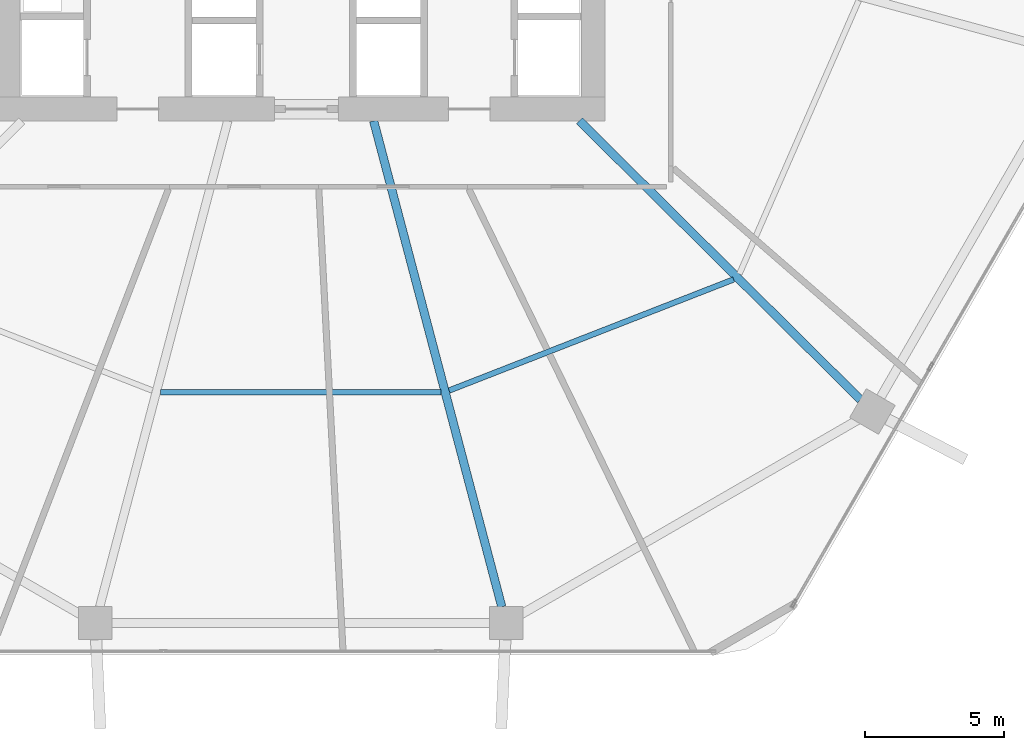
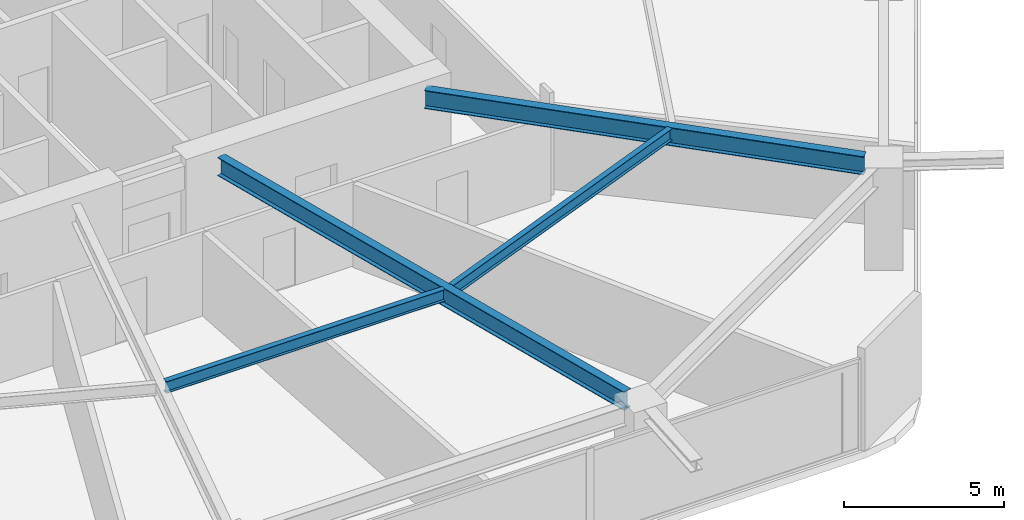
# One storey, part 8 of 27: 4 beams.
"""IFC4 building model written with IfcOpenShell, lengths in metres."""

from ifc_helpers import new_model, si_unit, direction, frame, origin, origin_2d, place, context, subcontext, project, spatial, i_section, extrude, material, material_profile, profile_set, type_object, element, save


model = new_model("IFC4")

# Units and contexts
model_context = context("Model", 3, precision=1e-05, world=origin(), true_north=direction((0.0, 1.0)))
body_context = subcontext(model_context, "Body", "Model", "MODEL_VIEW")
ifc_project = project(units=[si_unit("LENGTHUNIT", "METRE"), si_unit("AREAUNIT", "SQUARE_METRE"), si_unit("VOLUMEUNIT", "CUBIC_METRE"), si_unit("PLANEANGLEUNIT", "RADIAN"), si_unit("MASSUNIT", "GRAM", prefix="KILO")], contexts=[model_context])

# Site, building, storey
site_placement = place(None, origin())
site = spatial("IfcSite", under=ifc_project, at=site_placement, CompositionType="ELEMENT")
building_placement = place(site_placement, origin())
building = spatial("IfcBuilding", under=site, at=building_placement, Name="Zuhravey Tower", CompositionType="ELEMENT")
storey_placement = place(building_placement, frame((0.0, 0.0, 12.0)))
storey = spatial("IfcBuildingStorey", under=building, at=storey_placement, Name="L03", CompositionType="ELEMENT", Elevation=12.0)

# Beams
ifc_material = material(Name="Steel SM355", Category="steel")
ifc_material_profile_1 = material_profile(ifc_material, i_section(OverallWidth=0.300048828125, OverallDepth=0.699951171875, WebThickness=0.012939453125, FlangeThickness=0.02392578125, at=origin_2d()), Name="H-700x300x13x24")
ifc_profile_set_1 = profile_set([ifc_material_profile_1], Name="Steel SM355")
beam_type_1 = type_object("IfcBeamType", Name="Radial Primary Girder H700x300", PredefinedType="BEAM", material=ifc_profile_set_1)
beam_1_placement = place(storey_placement, frame((38.617919921875, 22.072021484375, 3.570068359375), z_axis=(0.254989720435, -0.966943763862, 0.0), x_axis=(0.966943763862, 0.254989720435, 0.0)))
element("IfcBeam", 1, at=beam_1_placement, inside=storey, type_object=beam_type_1, Name="L03 RG1 BM-L03-RAD-10", PredefinedType="BEAM", context=body_context, shape_type="SweptSolid", body=[
    extrude(i_section(OverallWidth=0.300048828125, OverallDepth=0.699951171875, WebThickness=0.012939453125, FlangeThickness=0.02392578125, at=origin_2d()), origin(), (0.0, 0.0, 1.0), 18.03369140625),
])
beam_2_placement = place(storey_placement, frame((46.007080078125, 22.072021484375, 3.570068359375), z_axis=(0.709902823282, -0.704299639, 0.0), x_axis=(0.704299639, 0.709902823282, 0.0)))
element("IfcBeam", 2, at=beam_2_placement, inside=storey, type_object=beam_type_1, Name="L03 RG1 BM-L03-RAD-11", PredefinedType="BEAM", context=body_context, shape_type="SweptSolid", body=[
    extrude(i_section(OverallWidth=0.300048828125, OverallDepth=0.699951171875, WebThickness=0.012939453125, FlangeThickness=0.02392578125, at=origin_2d()), origin(), (0.0, 0.0, 1.0), 14.204345703125),
])
ifc_material_profile_2 = material_profile(ifc_material, i_section(OverallWidth=0.199951171875, OverallDepth=0.449951171875, WebThickness=0.009033203125, FlangeThickness=0.013916015625, at=origin_2d()), Name="H-450x200x9x14")
ifc_profile_set_2 = profile_set([ifc_material_profile_2], Name="Steel SM355")
beam_type_2 = type_object("IfcBeamType", Name="Secondary Floor Joist H450x200", PredefinedType="JOIST", material=ifc_profile_set_2)
beam_3_placement = place(storey_placement, frame((30.969970703125, 12.3408203125, 3.695068359375), z_axis=(1.0, 0.0, 0.0), x_axis=(0.0, 1.0, 0.0)))
element("IfcBeam", 3, at=beam_3_placement, inside=storey, type_object=beam_type_2, Name="L03 SJ1 BM-L03-SJ-09-1", PredefinedType="JOIST", context=body_context, shape_type="SweptSolid", body=[
    extrude(i_section(OverallWidth=0.199951171875, OverallDepth=0.449951171875, WebThickness=0.009033203125, FlangeThickness=0.013916015625, at=origin_2d()), origin(), (0.0, 0.0, 1.0), 10.06005859375),
])
beam_4_placement = place(storey_placement, frame((41.32763671875, 12.39697265625, 3.695068359375), z_axis=(0.931516535886, 0.363698973562, 0.0), x_axis=(-0.363698973562, 0.931516535886, 0.0)))
element("IfcBeam", 4, at=beam_4_placement, inside=storey, type_object=beam_type_2, Name="L03 SJ1 BM-L03-SJ-10-1", PredefinedType="JOIST", context=body_context, shape_type="SweptSolid", body=[
    extrude(i_section(OverallWidth=0.199951171875, OverallDepth=0.449951171875, WebThickness=0.009033203125, FlangeThickness=0.013916015625, at=origin_2d()), origin(), (0.0, 0.0, 1.0), 10.963134765625),
])

save(model, "model.ifc")
